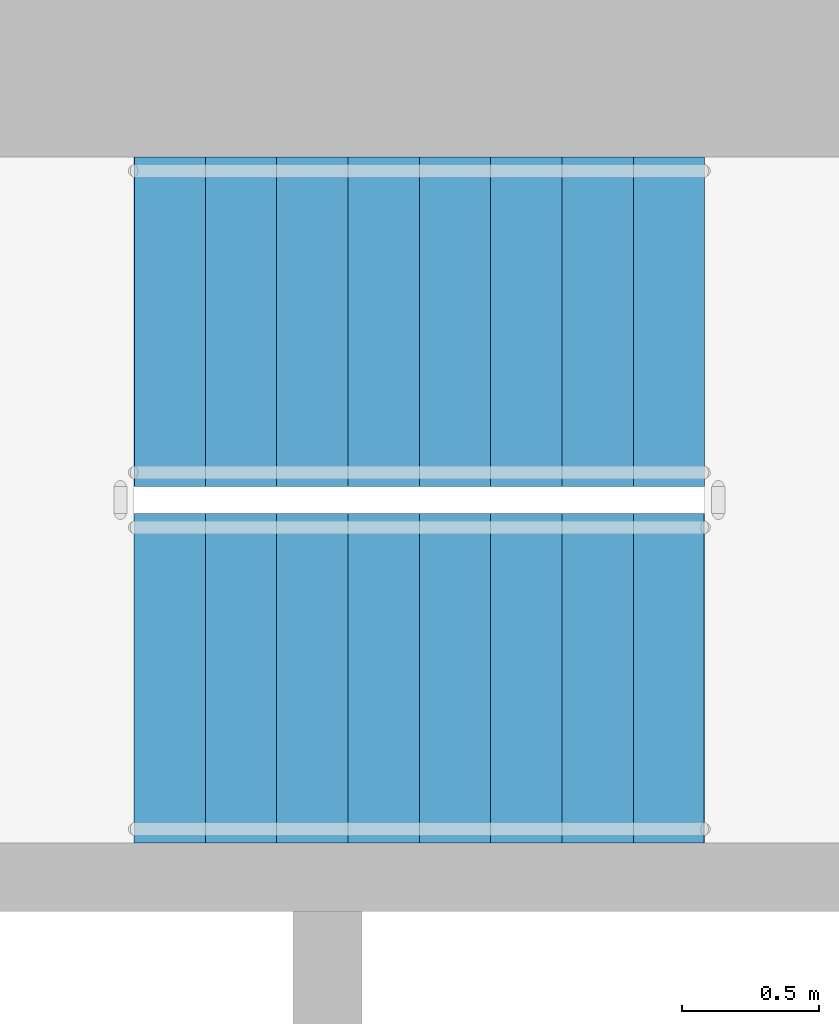
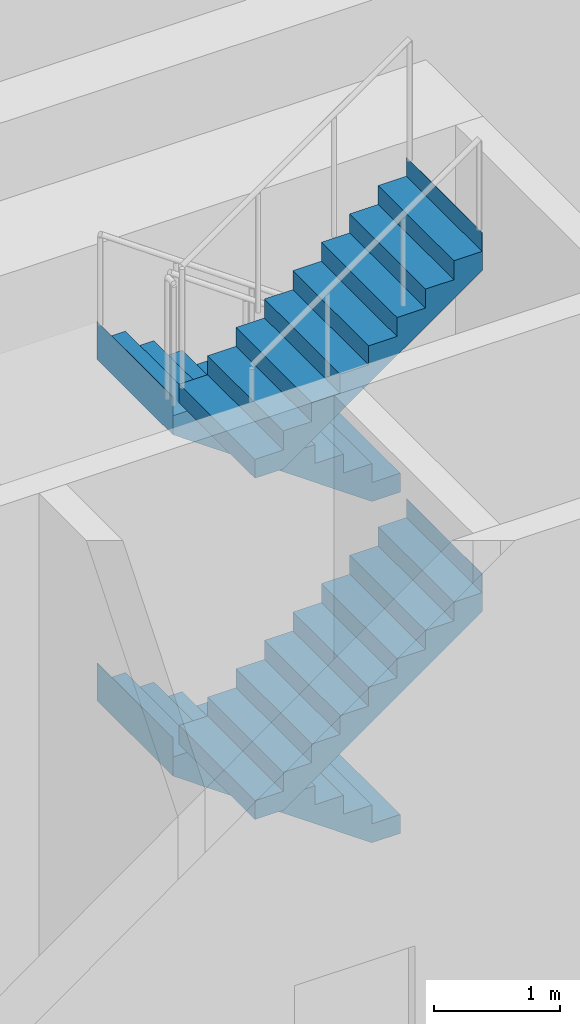
# One storey, part 13 of 18: 4 stair flights, 1 element without a shape of its own.
"""IFC4 building model written with IfcOpenShell, lengths in metres."""

from ifc_helpers import new_model, si_unit, direction, frame, origin, place, context, subcontext, project, spatial, triangles, material, type_object, element, aggregate, save


model = new_model("IFC4")

# Units and contexts
model_context = context("Model", 3, precision=1e-05, world=origin(), true_north=direction((0.0, 1.0)))
body_context = subcontext(model_context, "Body", "Model", "MODEL_VIEW")
ifc_project = project(units=[si_unit("LENGTHUNIT", "METRE"), si_unit("AREAUNIT", "SQUARE_METRE"), si_unit("VOLUMEUNIT", "CUBIC_METRE"), si_unit("PLANEANGLEUNIT", "RADIAN"), si_unit("MASSUNIT", "GRAM", prefix="KILO")], contexts=[model_context])

# Site, building, storey
site_placement = place(None, origin())
site = spatial("IfcSite", under=ifc_project, at=site_placement, CompositionType="ELEMENT")
building_placement = place(site_placement, origin())
building = spatial("IfcBuilding", under=site, at=building_placement, Name="Sahrelin Media Tower", CompositionType="ELEMENT")
storey_placement = place(building_placement, frame((0.0, 0.0, 203.0)))
storey = spatial("IfcBuildingStorey", under=building, at=storey_placement, Name="L43", CompositionType="ELEMENT", Elevation=203.0)

# Stair, stair flights
ifc_material = material(Name="Concrete C40/50", Category="concrete")
stair_type = type_object("IfcStairType", Name="Exit stair 1200", PredefinedType="HALF_TURN_STAIR", material=ifc_material)
stair_placement = place(storey_placement, origin())
stair = element("IfcStair", 1, at=stair_placement, inside=storey, type_object=stair_type, Name="L43 Exit stair ST3", PredefinedType="HALF_TURN_STAIR")
stair_flight_type = type_object("IfcStairFlightType", Name="Stair flight 1200", PredefinedType="STRAIGHT", material=ifc_material)
stair_flight_1_placement = place(storey_placement, frame((7.675048828125, 6.0, 0.0), z_axis=(0.0, 0.0, 1.0), x_axis=(-1.0, 0.0, 0.0)))
stair_flight_1 = element("IfcStairFlight", 2, at=stair_flight_1_placement, type_object=stair_flight_type, Name="ST3 flight 1", NumberOfRisers=9, NumberOfTreads=8, PredefinedType="STRAIGHT", RiserHeight=0.183333333, TreadLength=0.26, context=body_context, shape_type="Tessellation", body=[
    triangles([(0.260009765625, 0.60009765625, 0.0), (0.260009765625, 0.300048828125, 0.0), (0.260009765625, 0.0, 0.0), (0.260009765625, -0.300048828125, 0.0), (0.260009765625, -0.60009765625, 0.0), (2.080078125, 0.60009765625, 1.283203125), (2.080078125, 0.300048828125, 1.283203125), (2.080078125, 0.0, 1.283203125), (2.080078125, -0.300048828125, 1.283203125), (2.080078125, -0.60009765625, 1.283203125), (2.080078125, 0.60009765625, 1.64990234375), (2.080078125, 0.300048828125, 1.64990234375), (2.080078125, 0.0, 1.64990234375), (2.080078125, -0.300048828125, 1.64990234375), (2.080078125, -0.60009765625, 1.64990234375), (2.077880859375, 0.60009765625, 1.64990234375), (2.077880859375, 0.300048828125, 1.64990234375), (2.077880859375, 0.0, 1.64990234375), (2.077880859375, -0.300048828125, 1.64990234375), (2.077880859375, -0.60009765625, 1.64990234375), (2.077880859375, 0.60009765625, 1.466552734375), (2.077880859375, 0.300048828125, 1.466552734375), (2.077880859375, 0.0, 1.466552734375), (2.077880859375, -0.300048828125, 1.466552734375), (2.077880859375, -0.60009765625, 1.466552734375), (1.820068359375, 0.60009765625, 1.466552734375), (1.820068359375, 0.300048828125, 1.466552734375), (1.820068359375, 0.0, 1.466552734375), (1.820068359375, -0.300048828125, 1.466552734375), (1.820068359375, -0.60009765625, 1.466552734375), (1.820068359375, 0.60009765625, 1.283447265625), (1.820068359375, 0.300048828125, 1.283447265625), (1.820068359375, 0.0, 1.283447265625), (1.820068359375, -0.300048828125, 1.283447265625), (1.820068359375, -0.60009765625, 1.283447265625), (1.56005859375, 0.60009765625, 1.283447265625), (1.56005859375, 0.300048828125, 1.283447265625), (1.56005859375, 0.0, 1.283447265625), (1.56005859375, -0.300048828125, 1.283447265625), (1.56005859375, -0.60009765625, 1.283447265625), (1.56005859375, 0.60009765625, 1.10009765625), (1.56005859375, 0.300048828125, 1.10009765625), (1.56005859375, 0.0, 1.10009765625), (1.56005859375, -0.300048828125, 1.10009765625), (1.56005859375, -0.60009765625, 1.10009765625), (1.300048828125, 0.60009765625, 1.10009765625), (1.300048828125, 0.300048828125, 1.10009765625), (1.300048828125, 0.0, 1.10009765625), (1.300048828125, -0.300048828125, 1.10009765625), (1.300048828125, -0.60009765625, 1.10009765625), (1.300048828125, 0.60009765625, 0.916748046875), (1.300048828125, 0.300048828125, 0.916748046875), (1.300048828125, 0.0, 0.916748046875), (1.300048828125, -0.300048828125, 0.916748046875), (1.300048828125, -0.60009765625, 0.916748046875), (1.0400390625, 0.60009765625, 0.916748046875), (1.0400390625, 0.300048828125, 0.916748046875), (1.0400390625, 0.0, 0.916748046875), (1.0400390625, -0.300048828125, 0.916748046875), (1.0400390625, -0.60009765625, 0.916748046875), (1.0400390625, 0.60009765625, 0.7333984375), (1.0400390625, 0.300048828125, 0.7333984375), (1.0400390625, 0.0, 0.7333984375), (1.0400390625, -0.300048828125, 0.7333984375), (1.0400390625, -0.60009765625, 0.7333984375), (0.780029296875, 0.60009765625, 0.7333984375), (0.780029296875, 0.300048828125, 0.7333984375), (0.780029296875, 0.0, 0.7333984375), (0.780029296875, -0.300048828125, 0.7333984375), (0.780029296875, -0.60009765625, 0.7333984375), (0.780029296875, 0.60009765625, 0.550048828125), (0.780029296875, 0.300048828125, 0.550048828125), (0.780029296875, 0.0, 0.550048828125), (0.780029296875, -0.300048828125, 0.550048828125), (0.780029296875, -0.60009765625, 0.550048828125), (0.52001953125, 0.60009765625, 0.550048828125), (0.52001953125, 0.300048828125, 0.550048828125), (0.52001953125, 0.0, 0.550048828125), (0.52001953125, -0.300048828125, 0.550048828125), (0.52001953125, -0.60009765625, 0.550048828125), (0.52001953125, 0.60009765625, 0.36669921875), (0.52001953125, 0.300048828125, 0.36669921875), (0.52001953125, 0.0, 0.36669921875), (0.52001953125, -0.300048828125, 0.36669921875), (0.52001953125, -0.60009765625, 0.36669921875), (0.260009765625, 0.60009765625, 0.36669921875), (0.260009765625, 0.300048828125, 0.36669921875), (0.260009765625, 0.0, 0.36669921875), (0.260009765625, -0.300048828125, 0.36669921875), (0.260009765625, -0.60009765625, 0.36669921875), (0.260009765625, 0.60009765625, 0.183349609375), (0.260009765625, 0.300048828125, 0.183349609375), (0.260009765625, 0.0, 0.183349609375), (0.260009765625, -0.300048828125, 0.183349609375), (0.260009765625, -0.60009765625, 0.183349609375), (0.0, 0.60009765625, 0.183349609375), (0.0, 0.300048828125, 0.183349609375), (0.0, 0.0, 0.183349609375), (0.0, -0.300048828125, 0.183349609375), (0.0, -0.60009765625, 0.183349609375), (0.0, 0.60009765625, 0.0), (0.0, 0.300048828125, 0.0), (0.0, 0.0, 0.0), (0.0, -0.300048828125, 0.0), (0.0, -0.60009765625, 0.0)], [[1, 6, 7], [1, 7, 2], [2, 7, 8], [2, 8, 3], [3, 8, 9], [3, 9, 4], [4, 9, 10], [4, 10, 5], [6, 11, 12], [6, 12, 7], [7, 12, 13], [7, 13, 8], [8, 13, 14], [8, 14, 9], [9, 14, 15], [9, 15, 10], [11, 16, 17], [11, 17, 12], [12, 17, 18], [12, 18, 13], [13, 18, 19], [13, 19, 14], [14, 19, 20], [14, 20, 15], [16, 21, 22], [16, 22, 17], [17, 22, 23], [17, 23, 18], [18, 23, 24], [18, 24, 19], [19, 24, 25], [19, 25, 20], [21, 26, 27], [21, 27, 22], [22, 27, 28], [22, 28, 23], [23, 28, 29], [23, 29, 24], [24, 29, 30], [24, 30, 25], [26, 31, 32], [26, 32, 27], [27, 32, 33], [27, 33, 28], [28, 33, 34], [28, 34, 29], [29, 34, 35], [29, 35, 30], [31, 36, 37], [31, 37, 32], [32, 37, 38], [32, 38, 33], [33, 38, 39], [33, 39, 34], [34, 39, 40], [34, 40, 35], [36, 41, 42], [36, 42, 37], [37, 42, 43], [37, 43, 38], [38, 43, 44], [38, 44, 39], [39, 44, 45], [39, 45, 40], [41, 46, 47], [41, 47, 42], [42, 47, 48], [42, 48, 43], [43, 48, 49], [43, 49, 44], [44, 49, 50], [44, 50, 45], [46, 51, 52], [46, 52, 47], [47, 52, 53], [47, 53, 48], [48, 53, 54], [48, 54, 49], [49, 54, 55], [49, 55, 50], [51, 56, 57], [51, 57, 52], [52, 57, 58], [52, 58, 53], [53, 58, 59], [53, 59, 54], [54, 59, 60], [54, 60, 55], [56, 61, 62], [56, 62, 57], [57, 62, 63], [57, 63, 58], [58, 63, 64], [58, 64, 59], [59, 64, 65], [59, 65, 60], [61, 66, 67], [61, 67, 62], [62, 67, 68], [62, 68, 63], [63, 68, 69], [63, 69, 64], [64, 69, 70], [64, 70, 65], [66, 71, 72], [66, 72, 67], [67, 72, 73], [67, 73, 68], [68, 73, 74], [68, 74, 69], [69, 74, 75], [69, 75, 70], [71, 76, 77], [71, 77, 72], [72, 77, 78], [72, 78, 73], [73, 78, 79], [73, 79, 74], [74, 79, 80], [74, 80, 75], [76, 81, 82], [76, 82, 77], [77, 82, 83], [77, 83, 78], [78, 83, 84], [78, 84, 79], [79, 84, 85], [79, 85, 80], [81, 86, 87], [81, 87, 82], [82, 87, 88], [82, 88, 83], [83, 88, 89], [83, 89, 84], [84, 89, 90], [84, 90, 85], [86, 91, 92], [86, 92, 87], [87, 92, 93], [87, 93, 88], [88, 93, 94], [88, 94, 89], [89, 94, 95], [89, 95, 90], [91, 96, 97], [91, 97, 92], [92, 97, 98], [92, 98, 93], [93, 98, 99], [93, 99, 94], [94, 99, 100], [94, 100, 95], [96, 101, 102], [96, 102, 97], [97, 102, 103], [97, 103, 98], [98, 103, 104], [98, 104, 99], [99, 104, 105], [99, 105, 100], [101, 1, 2], [101, 2, 102], [102, 2, 3], [102, 3, 103], [103, 3, 4], [103, 4, 104], [104, 4, 5], [104, 5, 105], [95, 100, 105], [91, 101, 96], [95, 85, 90], [91, 86, 81], [85, 75, 80], [81, 76, 71], [75, 65, 70], [71, 66, 61], [65, 55, 60], [61, 56, 51], [55, 45, 50], [51, 46, 41], [45, 35, 40], [41, 36, 31], [35, 25, 30], [31, 26, 21], [25, 15, 20], [21, 16, 11], [105, 5, 95], [101, 91, 1], [25, 10, 15], [21, 11, 6], [85, 95, 5], [81, 1, 91], [35, 10, 25], [31, 21, 6], [75, 85, 5], [71, 1, 81], [45, 10, 35], [41, 31, 6], [65, 75, 5], [61, 1, 71], [55, 10, 45], [51, 41, 6], [5, 10, 65], [1, 61, 6], [65, 10, 55], [61, 51, 6]], closed=True),
])
stair_flight_2_placement = place(storey_placement, frame((5.594970703125, 4.699951171875, 1.64990234375), z_axis=(0.0, 0.0, 1.0), x_axis=(1.0, 0.0, 0.0)))
stair_flight_2 = element("IfcStairFlight", 3, at=stair_flight_2_placement, type_object=stair_flight_type, Name="ST3 flight 2", NumberOfRisers=9, NumberOfTreads=8, PredefinedType="STRAIGHT", RiserHeight=0.183333333, TreadLength=0.26, context=body_context, shape_type="Tessellation", body=[
    triangles([(0.260009765625, 0.60009765625, 0.0), (0.260009765625, 0.300048828125, 0.0), (0.260009765625, 0.0, 0.0), (0.260009765625, -0.300048828125, 0.0), (0.260009765625, -0.60009765625, 0.0), (2.080078125, 0.60009765625, 1.283203125), (2.080078125, 0.300048828125, 1.283203125), (2.080078125, 0.0, 1.283203125), (2.080078125, -0.300048828125, 1.283203125), (2.080078125, -0.60009765625, 1.283203125), (2.080078125, 0.60009765625, 1.64990234375), (2.080078125, 0.300048828125, 1.64990234375), (2.080078125, 0.0, 1.64990234375), (2.080078125, -0.300048828125, 1.64990234375), (2.080078125, -0.60009765625, 1.64990234375), (2.077880859375, 0.60009765625, 1.64990234375), (2.077880859375, 0.300048828125, 1.64990234375), (2.077880859375, 0.0, 1.64990234375), (2.077880859375, -0.300048828125, 1.64990234375), (2.077880859375, -0.60009765625, 1.64990234375), (2.077880859375, 0.60009765625, 1.466552734375), (2.077880859375, 0.300048828125, 1.466552734375), (2.077880859375, 0.0, 1.466552734375), (2.077880859375, -0.300048828125, 1.466552734375), (2.077880859375, -0.60009765625, 1.466552734375), (1.820068359375, 0.60009765625, 1.466552734375), (1.820068359375, 0.300048828125, 1.466552734375), (1.820068359375, 0.0, 1.466552734375), (1.820068359375, -0.300048828125, 1.466552734375), (1.820068359375, -0.60009765625, 1.466552734375), (1.820068359375, 0.60009765625, 1.283447265625), (1.820068359375, 0.300048828125, 1.283447265625), (1.820068359375, 0.0, 1.283447265625), (1.820068359375, -0.300048828125, 1.283447265625), (1.820068359375, -0.60009765625, 1.283447265625), (1.56005859375, 0.60009765625, 1.283447265625), (1.56005859375, 0.300048828125, 1.283447265625), (1.56005859375, 0.0, 1.283447265625), (1.56005859375, -0.300048828125, 1.283447265625), (1.56005859375, -0.60009765625, 1.283447265625), (1.56005859375, 0.60009765625, 1.10009765625), (1.56005859375, 0.300048828125, 1.10009765625), (1.56005859375, 0.0, 1.10009765625), (1.56005859375, -0.300048828125, 1.10009765625), (1.56005859375, -0.60009765625, 1.10009765625), (1.300048828125, 0.60009765625, 1.10009765625), (1.300048828125, 0.300048828125, 1.10009765625), (1.300048828125, 0.0, 1.10009765625), (1.300048828125, -0.300048828125, 1.10009765625), (1.300048828125, -0.60009765625, 1.10009765625), (1.300048828125, 0.60009765625, 0.916748046875), (1.300048828125, 0.300048828125, 0.916748046875), (1.300048828125, 0.0, 0.916748046875), (1.300048828125, -0.300048828125, 0.916748046875), (1.300048828125, -0.60009765625, 0.916748046875), (1.0400390625, 0.60009765625, 0.916748046875), (1.0400390625, 0.300048828125, 0.916748046875), (1.0400390625, 0.0, 0.916748046875), (1.0400390625, -0.300048828125, 0.916748046875), (1.0400390625, -0.60009765625, 0.916748046875), (1.0400390625, 0.60009765625, 0.7333984375), (1.0400390625, 0.300048828125, 0.7333984375), (1.0400390625, 0.0, 0.7333984375), (1.0400390625, -0.300048828125, 0.7333984375), (1.0400390625, -0.60009765625, 0.7333984375), (0.780029296875, 0.60009765625, 0.7333984375), (0.780029296875, 0.300048828125, 0.7333984375), (0.780029296875, 0.0, 0.7333984375), (0.780029296875, -0.300048828125, 0.7333984375), (0.780029296875, -0.60009765625, 0.7333984375), (0.780029296875, 0.60009765625, 0.550048828125), (0.780029296875, 0.300048828125, 0.550048828125), (0.780029296875, 0.0, 0.550048828125), (0.780029296875, -0.300048828125, 0.550048828125), (0.780029296875, -0.60009765625, 0.550048828125), (0.52001953125, 0.60009765625, 0.550048828125), (0.52001953125, 0.300048828125, 0.550048828125), (0.52001953125, 0.0, 0.550048828125), (0.52001953125, -0.300048828125, 0.550048828125), (0.52001953125, -0.60009765625, 0.550048828125), (0.52001953125, 0.60009765625, 0.36669921875), (0.52001953125, 0.300048828125, 0.36669921875), (0.52001953125, 0.0, 0.36669921875), (0.52001953125, -0.300048828125, 0.36669921875), (0.52001953125, -0.60009765625, 0.36669921875), (0.260009765625, 0.60009765625, 0.36669921875), (0.260009765625, 0.300048828125, 0.36669921875), (0.260009765625, 0.0, 0.36669921875), (0.260009765625, -0.300048828125, 0.36669921875), (0.260009765625, -0.60009765625, 0.36669921875), (0.260009765625, 0.60009765625, 0.183349609375), (0.260009765625, 0.300048828125, 0.183349609375), (0.260009765625, 0.0, 0.183349609375), (0.260009765625, -0.300048828125, 0.183349609375), (0.260009765625, -0.60009765625, 0.183349609375), (0.0, 0.60009765625, 0.183349609375), (0.0, 0.300048828125, 0.183349609375), (0.0, 0.0, 0.183349609375), (0.0, -0.300048828125, 0.183349609375), (0.0, -0.60009765625, 0.183349609375), (0.0, 0.60009765625, 0.0), (0.0, 0.300048828125, 0.0), (0.0, 0.0, 0.0), (0.0, -0.300048828125, 0.0), (0.0, -0.60009765625, 0.0)], [[1, 6, 7], [1, 7, 2], [2, 7, 8], [2, 8, 3], [3, 8, 9], [3, 9, 4], [4, 9, 10], [4, 10, 5], [6, 11, 12], [6, 12, 7], [7, 12, 13], [7, 13, 8], [8, 13, 14], [8, 14, 9], [9, 14, 15], [9, 15, 10], [11, 16, 17], [11, 17, 12], [12, 17, 18], [12, 18, 13], [13, 18, 19], [13, 19, 14], [14, 19, 20], [14, 20, 15], [16, 21, 22], [16, 22, 17], [17, 22, 23], [17, 23, 18], [18, 23, 24], [18, 24, 19], [19, 24, 25], [19, 25, 20], [21, 26, 27], [21, 27, 22], [22, 27, 28], [22, 28, 23], [23, 28, 29], [23, 29, 24], [24, 29, 30], [24, 30, 25], [26, 31, 32], [26, 32, 27], [27, 32, 33], [27, 33, 28], [28, 33, 34], [28, 34, 29], [29, 34, 35], [29, 35, 30], [31, 36, 37], [31, 37, 32], [32, 37, 38], [32, 38, 33], [33, 38, 39], [33, 39, 34], [34, 39, 40], [34, 40, 35], [36, 41, 42], [36, 42, 37], [37, 42, 43], [37, 43, 38], [38, 43, 44], [38, 44, 39], [39, 44, 45], [39, 45, 40], [41, 46, 47], [41, 47, 42], [42, 47, 48], [42, 48, 43], [43, 48, 49], [43, 49, 44], [44, 49, 50], [44, 50, 45], [46, 51, 52], [46, 52, 47], [47, 52, 53], [47, 53, 48], [48, 53, 54], [48, 54, 49], [49, 54, 55], [49, 55, 50], [51, 56, 57], [51, 57, 52], [52, 57, 58], [52, 58, 53], [53, 58, 59], [53, 59, 54], [54, 59, 60], [54, 60, 55], [56, 61, 62], [56, 62, 57], [57, 62, 63], [57, 63, 58], [58, 63, 64], [58, 64, 59], [59, 64, 65], [59, 65, 60], [61, 66, 67], [61, 67, 62], [62, 67, 68], [62, 68, 63], [63, 68, 69], [63, 69, 64], [64, 69, 70], [64, 70, 65], [66, 71, 72], [66, 72, 67], [67, 72, 73], [67, 73, 68], [68, 73, 74], [68, 74, 69], [69, 74, 75], [69, 75, 70], [71, 76, 77], [71, 77, 72], [72, 77, 78], [72, 78, 73], [73, 78, 79], [73, 79, 74], [74, 79, 80], [74, 80, 75], [76, 81, 82], [76, 82, 77], [77, 82, 83], [77, 83, 78], [78, 83, 84], [78, 84, 79], [79, 84, 85], [79, 85, 80], [81, 86, 87], [81, 87, 82], [82, 87, 88], [82, 88, 83], [83, 88, 89], [83, 89, 84], [84, 89, 90], [84, 90, 85], [86, 91, 92], [86, 92, 87], [87, 92, 93], [87, 93, 88], [88, 93, 94], [88, 94, 89], [89, 94, 95], [89, 95, 90], [91, 96, 97], [91, 97, 92], [92, 97, 98], [92, 98, 93], [93, 98, 99], [93, 99, 94], [94, 99, 100], [94, 100, 95], [96, 101, 102], [96, 102, 97], [97, 102, 103], [97, 103, 98], [98, 103, 104], [98, 104, 99], [99, 104, 105], [99, 105, 100], [101, 1, 2], [101, 2, 102], [102, 2, 3], [102, 3, 103], [103, 3, 4], [103, 4, 104], [104, 4, 5], [104, 5, 105], [95, 100, 105], [91, 101, 96], [95, 85, 90], [91, 86, 81], [85, 75, 80], [81, 76, 71], [75, 65, 70], [71, 66, 61], [65, 55, 60], [61, 56, 51], [55, 45, 50], [51, 46, 41], [45, 35, 40], [41, 36, 31], [35, 25, 30], [31, 26, 21], [25, 15, 20], [21, 16, 11], [105, 5, 95], [101, 91, 1], [25, 10, 15], [21, 11, 6], [85, 95, 5], [81, 1, 91], [35, 10, 25], [31, 21, 6], [75, 85, 5], [71, 1, 81], [45, 10, 35], [41, 31, 6], [65, 75, 5], [61, 1, 71], [55, 10, 45], [51, 41, 6], [5, 10, 65], [1, 61, 6], [65, 10, 55], [61, 51, 6]], closed=True),
])
stair_flight_3_placement = place(storey_placement, frame((7.675048828125, 6.0, 3.300048828125), z_axis=(0.0, 0.0, 1.0), x_axis=(-1.0, 0.0, 0.0)))
stair_flight_3 = element("IfcStairFlight", 4, at=stair_flight_3_placement, type_object=stair_flight_type, Name="ST3 flight 3", NumberOfRisers=9, NumberOfTreads=8, PredefinedType="STRAIGHT", RiserHeight=0.183333333, TreadLength=0.26, context=body_context, shape_type="Tessellation", body=[
    triangles([(0.260009765625, 0.60009765625, 0.0), (0.260009765625, 0.300048828125, 0.0), (0.260009765625, 0.0, 0.0), (0.260009765625, -0.300048828125, 0.0), (0.260009765625, -0.60009765625, 0.0), (2.080078125, 0.60009765625, 1.283203125), (2.080078125, 0.300048828125, 1.283203125), (2.080078125, 0.0, 1.283203125), (2.080078125, -0.300048828125, 1.283203125), (2.080078125, -0.60009765625, 1.283203125), (2.080078125, 0.60009765625, 1.64990234375), (2.080078125, 0.300048828125, 1.64990234375), (2.080078125, 0.0, 1.64990234375), (2.080078125, -0.300048828125, 1.64990234375), (2.080078125, -0.60009765625, 1.64990234375), (2.077880859375, 0.60009765625, 1.64990234375), (2.077880859375, 0.300048828125, 1.64990234375), (2.077880859375, 0.0, 1.64990234375), (2.077880859375, -0.300048828125, 1.64990234375), (2.077880859375, -0.60009765625, 1.64990234375), (2.077880859375, 0.60009765625, 1.466552734375), (2.077880859375, 0.300048828125, 1.466552734375), (2.077880859375, 0.0, 1.466552734375), (2.077880859375, -0.300048828125, 1.466552734375), (2.077880859375, -0.60009765625, 1.466552734375), (1.820068359375, 0.60009765625, 1.466552734375), (1.820068359375, 0.300048828125, 1.466552734375), (1.820068359375, 0.0, 1.466552734375), (1.820068359375, -0.300048828125, 1.466552734375), (1.820068359375, -0.60009765625, 1.466552734375), (1.820068359375, 0.60009765625, 1.283447265625), (1.820068359375, 0.300048828125, 1.283447265625), (1.820068359375, 0.0, 1.283447265625), (1.820068359375, -0.300048828125, 1.283447265625), (1.820068359375, -0.60009765625, 1.283447265625), (1.56005859375, 0.60009765625, 1.283447265625), (1.56005859375, 0.300048828125, 1.283447265625), (1.56005859375, 0.0, 1.283447265625), (1.56005859375, -0.300048828125, 1.283447265625), (1.56005859375, -0.60009765625, 1.283447265625), (1.56005859375, 0.60009765625, 1.10009765625), (1.56005859375, 0.300048828125, 1.10009765625), (1.56005859375, 0.0, 1.10009765625), (1.56005859375, -0.300048828125, 1.10009765625), (1.56005859375, -0.60009765625, 1.10009765625), (1.300048828125, 0.60009765625, 1.10009765625), (1.300048828125, 0.300048828125, 1.10009765625), (1.300048828125, 0.0, 1.10009765625), (1.300048828125, -0.300048828125, 1.10009765625), (1.300048828125, -0.60009765625, 1.10009765625), (1.300048828125, 0.60009765625, 0.916748046875), (1.300048828125, 0.300048828125, 0.916748046875), (1.300048828125, 0.0, 0.916748046875), (1.300048828125, -0.300048828125, 0.916748046875), (1.300048828125, -0.60009765625, 0.916748046875), (1.0400390625, 0.60009765625, 0.916748046875), (1.0400390625, 0.300048828125, 0.916748046875), (1.0400390625, 0.0, 0.916748046875), (1.0400390625, -0.300048828125, 0.916748046875), (1.0400390625, -0.60009765625, 0.916748046875), (1.0400390625, 0.60009765625, 0.7333984375), (1.0400390625, 0.300048828125, 0.7333984375), (1.0400390625, 0.0, 0.7333984375), (1.0400390625, -0.300048828125, 0.7333984375), (1.0400390625, -0.60009765625, 0.7333984375), (0.780029296875, 0.60009765625, 0.7333984375), (0.780029296875, 0.300048828125, 0.7333984375), (0.780029296875, 0.0, 0.7333984375), (0.780029296875, -0.300048828125, 0.7333984375), (0.780029296875, -0.60009765625, 0.7333984375), (0.780029296875, 0.60009765625, 0.550048828125), (0.780029296875, 0.300048828125, 0.550048828125), (0.780029296875, 0.0, 0.550048828125), (0.780029296875, -0.300048828125, 0.550048828125), (0.780029296875, -0.60009765625, 0.550048828125), (0.52001953125, 0.60009765625, 0.550048828125), (0.52001953125, 0.300048828125, 0.550048828125), (0.52001953125, 0.0, 0.550048828125), (0.52001953125, -0.300048828125, 0.550048828125), (0.52001953125, -0.60009765625, 0.550048828125), (0.52001953125, 0.60009765625, 0.36669921875), (0.52001953125, 0.300048828125, 0.36669921875), (0.52001953125, 0.0, 0.36669921875), (0.52001953125, -0.300048828125, 0.36669921875), (0.52001953125, -0.60009765625, 0.36669921875), (0.260009765625, 0.60009765625, 0.36669921875), (0.260009765625, 0.300048828125, 0.36669921875), (0.260009765625, 0.0, 0.36669921875), (0.260009765625, -0.300048828125, 0.36669921875), (0.260009765625, -0.60009765625, 0.36669921875), (0.260009765625, 0.60009765625, 0.183349609375), (0.260009765625, 0.300048828125, 0.183349609375), (0.260009765625, 0.0, 0.183349609375), (0.260009765625, -0.300048828125, 0.183349609375), (0.260009765625, -0.60009765625, 0.183349609375), (0.0, 0.60009765625, 0.183349609375), (0.0, 0.300048828125, 0.183349609375), (0.0, 0.0, 0.183349609375), (0.0, -0.300048828125, 0.183349609375), (0.0, -0.60009765625, 0.183349609375), (0.0, 0.60009765625, 0.0), (0.0, 0.300048828125, 0.0), (0.0, 0.0, 0.0), (0.0, -0.300048828125, 0.0), (0.0, -0.60009765625, 0.0)], [[1, 6, 7], [1, 7, 2], [2, 7, 8], [2, 8, 3], [3, 8, 9], [3, 9, 4], [4, 9, 10], [4, 10, 5], [6, 11, 12], [6, 12, 7], [7, 12, 13], [7, 13, 8], [8, 13, 14], [8, 14, 9], [9, 14, 15], [9, 15, 10], [11, 16, 17], [11, 17, 12], [12, 17, 18], [12, 18, 13], [13, 18, 19], [13, 19, 14], [14, 19, 20], [14, 20, 15], [16, 21, 22], [16, 22, 17], [17, 22, 23], [17, 23, 18], [18, 23, 24], [18, 24, 19], [19, 24, 25], [19, 25, 20], [21, 26, 27], [21, 27, 22], [22, 27, 28], [22, 28, 23], [23, 28, 29], [23, 29, 24], [24, 29, 30], [24, 30, 25], [26, 31, 32], [26, 32, 27], [27, 32, 33], [27, 33, 28], [28, 33, 34], [28, 34, 29], [29, 34, 35], [29, 35, 30], [31, 36, 37], [31, 37, 32], [32, 37, 38], [32, 38, 33], [33, 38, 39], [33, 39, 34], [34, 39, 40], [34, 40, 35], [36, 41, 42], [36, 42, 37], [37, 42, 43], [37, 43, 38], [38, 43, 44], [38, 44, 39], [39, 44, 45], [39, 45, 40], [41, 46, 47], [41, 47, 42], [42, 47, 48], [42, 48, 43], [43, 48, 49], [43, 49, 44], [44, 49, 50], [44, 50, 45], [46, 51, 52], [46, 52, 47], [47, 52, 53], [47, 53, 48], [48, 53, 54], [48, 54, 49], [49, 54, 55], [49, 55, 50], [51, 56, 57], [51, 57, 52], [52, 57, 58], [52, 58, 53], [53, 58, 59], [53, 59, 54], [54, 59, 60], [54, 60, 55], [56, 61, 62], [56, 62, 57], [57, 62, 63], [57, 63, 58], [58, 63, 64], [58, 64, 59], [59, 64, 65], [59, 65, 60], [61, 66, 67], [61, 67, 62], [62, 67, 68], [62, 68, 63], [63, 68, 69], [63, 69, 64], [64, 69, 70], [64, 70, 65], [66, 71, 72], [66, 72, 67], [67, 72, 73], [67, 73, 68], [68, 73, 74], [68, 74, 69], [69, 74, 75], [69, 75, 70], [71, 76, 77], [71, 77, 72], [72, 77, 78], [72, 78, 73], [73, 78, 79], [73, 79, 74], [74, 79, 80], [74, 80, 75], [76, 81, 82], [76, 82, 77], [77, 82, 83], [77, 83, 78], [78, 83, 84], [78, 84, 79], [79, 84, 85], [79, 85, 80], [81, 86, 87], [81, 87, 82], [82, 87, 88], [82, 88, 83], [83, 88, 89], [83, 89, 84], [84, 89, 90], [84, 90, 85], [86, 91, 92], [86, 92, 87], [87, 92, 93], [87, 93, 88], [88, 93, 94], [88, 94, 89], [89, 94, 95], [89, 95, 90], [91, 96, 97], [91, 97, 92], [92, 97, 98], [92, 98, 93], [93, 98, 99], [93, 99, 94], [94, 99, 100], [94, 100, 95], [96, 101, 102], [96, 102, 97], [97, 102, 103], [97, 103, 98], [98, 103, 104], [98, 104, 99], [99, 104, 105], [99, 105, 100], [101, 1, 2], [101, 2, 102], [102, 2, 3], [102, 3, 103], [103, 3, 4], [103, 4, 104], [104, 4, 5], [104, 5, 105], [95, 100, 105], [91, 101, 96], [95, 85, 90], [91, 86, 81], [85, 75, 80], [81, 76, 71], [75, 65, 70], [71, 66, 61], [65, 55, 60], [61, 56, 51], [55, 45, 50], [51, 46, 41], [45, 35, 40], [41, 36, 31], [35, 25, 30], [31, 26, 21], [25, 15, 20], [21, 16, 11], [105, 5, 95], [101, 91, 1], [25, 10, 15], [21, 11, 6], [85, 95, 5], [81, 1, 91], [35, 10, 25], [31, 21, 6], [75, 85, 5], [71, 1, 81], [45, 10, 35], [41, 31, 6], [65, 75, 5], [61, 1, 71], [55, 10, 45], [51, 41, 6], [5, 10, 65], [1, 61, 6], [65, 10, 55], [61, 51, 6]], closed=True),
])
stair_flight_4_placement = place(storey_placement, frame((5.594970703125, 4.699951171875, 4.949951171875), z_axis=(0.0, 0.0, 1.0), x_axis=(1.0, 0.0, 0.0)))
stair_flight_4 = element("IfcStairFlight", 5, at=stair_flight_4_placement, type_object=stair_flight_type, Name="ST3 flight 4", NumberOfRisers=9, NumberOfTreads=8, PredefinedType="STRAIGHT", RiserHeight=0.183333333, TreadLength=0.26, context=body_context, shape_type="Tessellation", body=[
    triangles([(0.260009765625, 0.60009765625, 0.0), (0.260009765625, 0.300048828125, 0.0), (0.260009765625, 0.0, 0.0), (0.260009765625, -0.300048828125, 0.0), (0.260009765625, -0.60009765625, 0.0), (2.080078125, 0.60009765625, 1.283203125), (2.080078125, 0.300048828125, 1.283203125), (2.080078125, 0.0, 1.283203125), (2.080078125, -0.300048828125, 1.283203125), (2.080078125, -0.60009765625, 1.283203125), (2.080078125, 0.60009765625, 1.64990234375), (2.080078125, 0.300048828125, 1.64990234375), (2.080078125, 0.0, 1.64990234375), (2.080078125, -0.300048828125, 1.64990234375), (2.080078125, -0.60009765625, 1.64990234375), (2.077880859375, 0.60009765625, 1.64990234375), (2.077880859375, 0.300048828125, 1.64990234375), (2.077880859375, 0.0, 1.64990234375), (2.077880859375, -0.300048828125, 1.64990234375), (2.077880859375, -0.60009765625, 1.64990234375), (2.077880859375, 0.60009765625, 1.466552734375), (2.077880859375, 0.300048828125, 1.466552734375), (2.077880859375, 0.0, 1.466552734375), (2.077880859375, -0.300048828125, 1.466552734375), (2.077880859375, -0.60009765625, 1.466552734375), (1.820068359375, 0.60009765625, 1.466552734375), (1.820068359375, 0.300048828125, 1.466552734375), (1.820068359375, 0.0, 1.466552734375), (1.820068359375, -0.300048828125, 1.466552734375), (1.820068359375, -0.60009765625, 1.466552734375), (1.820068359375, 0.60009765625, 1.283447265625), (1.820068359375, 0.300048828125, 1.283447265625), (1.820068359375, 0.0, 1.283447265625), (1.820068359375, -0.300048828125, 1.283447265625), (1.820068359375, -0.60009765625, 1.283447265625), (1.56005859375, 0.60009765625, 1.283447265625), (1.56005859375, 0.300048828125, 1.283447265625), (1.56005859375, 0.0, 1.283447265625), (1.56005859375, -0.300048828125, 1.283447265625), (1.56005859375, -0.60009765625, 1.283447265625), (1.56005859375, 0.60009765625, 1.10009765625), (1.56005859375, 0.300048828125, 1.10009765625), (1.56005859375, 0.0, 1.10009765625), (1.56005859375, -0.300048828125, 1.10009765625), (1.56005859375, -0.60009765625, 1.10009765625), (1.300048828125, 0.60009765625, 1.10009765625), (1.300048828125, 0.300048828125, 1.10009765625), (1.300048828125, 0.0, 1.10009765625), (1.300048828125, -0.300048828125, 1.10009765625), (1.300048828125, -0.60009765625, 1.10009765625), (1.300048828125, 0.60009765625, 0.916748046875), (1.300048828125, 0.300048828125, 0.916748046875), (1.300048828125, 0.0, 0.916748046875), (1.300048828125, -0.300048828125, 0.916748046875), (1.300048828125, -0.60009765625, 0.916748046875), (1.0400390625, 0.60009765625, 0.916748046875), (1.0400390625, 0.300048828125, 0.916748046875), (1.0400390625, 0.0, 0.916748046875), (1.0400390625, -0.300048828125, 0.916748046875), (1.0400390625, -0.60009765625, 0.916748046875), (1.0400390625, 0.60009765625, 0.7333984375), (1.0400390625, 0.300048828125, 0.7333984375), (1.0400390625, 0.0, 0.7333984375), (1.0400390625, -0.300048828125, 0.7333984375), (1.0400390625, -0.60009765625, 0.7333984375), (0.780029296875, 0.60009765625, 0.7333984375), (0.780029296875, 0.300048828125, 0.7333984375), (0.780029296875, 0.0, 0.7333984375), (0.780029296875, -0.300048828125, 0.7333984375), (0.780029296875, -0.60009765625, 0.7333984375), (0.780029296875, 0.60009765625, 0.550048828125), (0.780029296875, 0.300048828125, 0.550048828125), (0.780029296875, 0.0, 0.550048828125), (0.780029296875, -0.300048828125, 0.550048828125), (0.780029296875, -0.60009765625, 0.550048828125), (0.52001953125, 0.60009765625, 0.550048828125), (0.52001953125, 0.300048828125, 0.550048828125), (0.52001953125, 0.0, 0.550048828125), (0.52001953125, -0.300048828125, 0.550048828125), (0.52001953125, -0.60009765625, 0.550048828125), (0.52001953125, 0.60009765625, 0.36669921875), (0.52001953125, 0.300048828125, 0.36669921875), (0.52001953125, 0.0, 0.36669921875), (0.52001953125, -0.300048828125, 0.36669921875), (0.52001953125, -0.60009765625, 0.36669921875), (0.260009765625, 0.60009765625, 0.36669921875), (0.260009765625, 0.300048828125, 0.36669921875), (0.260009765625, 0.0, 0.36669921875), (0.260009765625, -0.300048828125, 0.36669921875), (0.260009765625, -0.60009765625, 0.36669921875), (0.260009765625, 0.60009765625, 0.183349609375), (0.260009765625, 0.300048828125, 0.183349609375), (0.260009765625, 0.0, 0.183349609375), (0.260009765625, -0.300048828125, 0.183349609375), (0.260009765625, -0.60009765625, 0.183349609375), (0.0, 0.60009765625, 0.183349609375), (0.0, 0.300048828125, 0.183349609375), (0.0, 0.0, 0.183349609375), (0.0, -0.300048828125, 0.183349609375), (0.0, -0.60009765625, 0.183349609375), (0.0, 0.60009765625, 0.0), (0.0, 0.300048828125, 0.0), (0.0, 0.0, 0.0), (0.0, -0.300048828125, 0.0), (0.0, -0.60009765625, 0.0)], [[1, 6, 7], [1, 7, 2], [2, 7, 8], [2, 8, 3], [3, 8, 9], [3, 9, 4], [4, 9, 10], [4, 10, 5], [6, 11, 12], [6, 12, 7], [7, 12, 13], [7, 13, 8], [8, 13, 14], [8, 14, 9], [9, 14, 15], [9, 15, 10], [11, 16, 17], [11, 17, 12], [12, 17, 18], [12, 18, 13], [13, 18, 19], [13, 19, 14], [14, 19, 20], [14, 20, 15], [16, 21, 22], [16, 22, 17], [17, 22, 23], [17, 23, 18], [18, 23, 24], [18, 24, 19], [19, 24, 25], [19, 25, 20], [21, 26, 27], [21, 27, 22], [22, 27, 28], [22, 28, 23], [23, 28, 29], [23, 29, 24], [24, 29, 30], [24, 30, 25], [26, 31, 32], [26, 32, 27], [27, 32, 33], [27, 33, 28], [28, 33, 34], [28, 34, 29], [29, 34, 35], [29, 35, 30], [31, 36, 37], [31, 37, 32], [32, 37, 38], [32, 38, 33], [33, 38, 39], [33, 39, 34], [34, 39, 40], [34, 40, 35], [36, 41, 42], [36, 42, 37], [37, 42, 43], [37, 43, 38], [38, 43, 44], [38, 44, 39], [39, 44, 45], [39, 45, 40], [41, 46, 47], [41, 47, 42], [42, 47, 48], [42, 48, 43], [43, 48, 49], [43, 49, 44], [44, 49, 50], [44, 50, 45], [46, 51, 52], [46, 52, 47], [47, 52, 53], [47, 53, 48], [48, 53, 54], [48, 54, 49], [49, 54, 55], [49, 55, 50], [51, 56, 57], [51, 57, 52], [52, 57, 58], [52, 58, 53], [53, 58, 59], [53, 59, 54], [54, 59, 60], [54, 60, 55], [56, 61, 62], [56, 62, 57], [57, 62, 63], [57, 63, 58], [58, 63, 64], [58, 64, 59], [59, 64, 65], [59, 65, 60], [61, 66, 67], [61, 67, 62], [62, 67, 68], [62, 68, 63], [63, 68, 69], [63, 69, 64], [64, 69, 70], [64, 70, 65], [66, 71, 72], [66, 72, 67], [67, 72, 73], [67, 73, 68], [68, 73, 74], [68, 74, 69], [69, 74, 75], [69, 75, 70], [71, 76, 77], [71, 77, 72], [72, 77, 78], [72, 78, 73], [73, 78, 79], [73, 79, 74], [74, 79, 80], [74, 80, 75], [76, 81, 82], [76, 82, 77], [77, 82, 83], [77, 83, 78], [78, 83, 84], [78, 84, 79], [79, 84, 85], [79, 85, 80], [81, 86, 87], [81, 87, 82], [82, 87, 88], [82, 88, 83], [83, 88, 89], [83, 89, 84], [84, 89, 90], [84, 90, 85], [86, 91, 92], [86, 92, 87], [87, 92, 93], [87, 93, 88], [88, 93, 94], [88, 94, 89], [89, 94, 95], [89, 95, 90], [91, 96, 97], [91, 97, 92], [92, 97, 98], [92, 98, 93], [93, 98, 99], [93, 99, 94], [94, 99, 100], [94, 100, 95], [96, 101, 102], [96, 102, 97], [97, 102, 103], [97, 103, 98], [98, 103, 104], [98, 104, 99], [99, 104, 105], [99, 105, 100], [101, 1, 2], [101, 2, 102], [102, 2, 3], [102, 3, 103], [103, 3, 4], [103, 4, 104], [104, 4, 5], [104, 5, 105], [95, 100, 105], [91, 101, 96], [95, 85, 90], [91, 86, 81], [85, 75, 80], [81, 76, 71], [75, 65, 70], [71, 66, 61], [65, 55, 60], [61, 56, 51], [55, 45, 50], [51, 46, 41], [45, 35, 40], [41, 36, 31], [35, 25, 30], [31, 26, 21], [25, 15, 20], [21, 16, 11], [105, 5, 95], [101, 91, 1], [25, 10, 15], [21, 11, 6], [85, 95, 5], [81, 1, 91], [35, 10, 25], [31, 21, 6], [75, 85, 5], [71, 1, 81], [45, 10, 35], [41, 31, 6], [65, 75, 5], [61, 1, 71], [55, 10, 45], [51, 41, 6], [5, 10, 65], [1, 61, 6], [65, 10, 55], [61, 51, 6]], closed=True),
])
aggregate(stair, [stair_flight_1, stair_flight_2, stair_flight_3, stair_flight_4])

save(model, "model.ifc")
